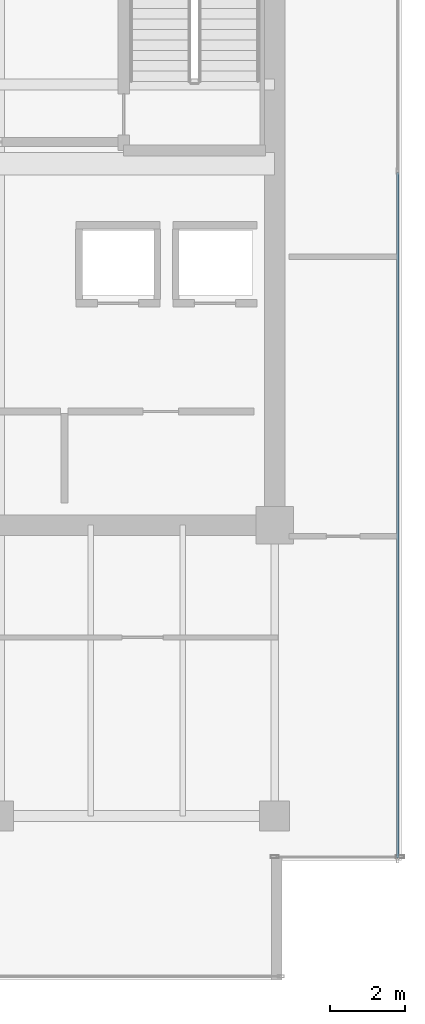
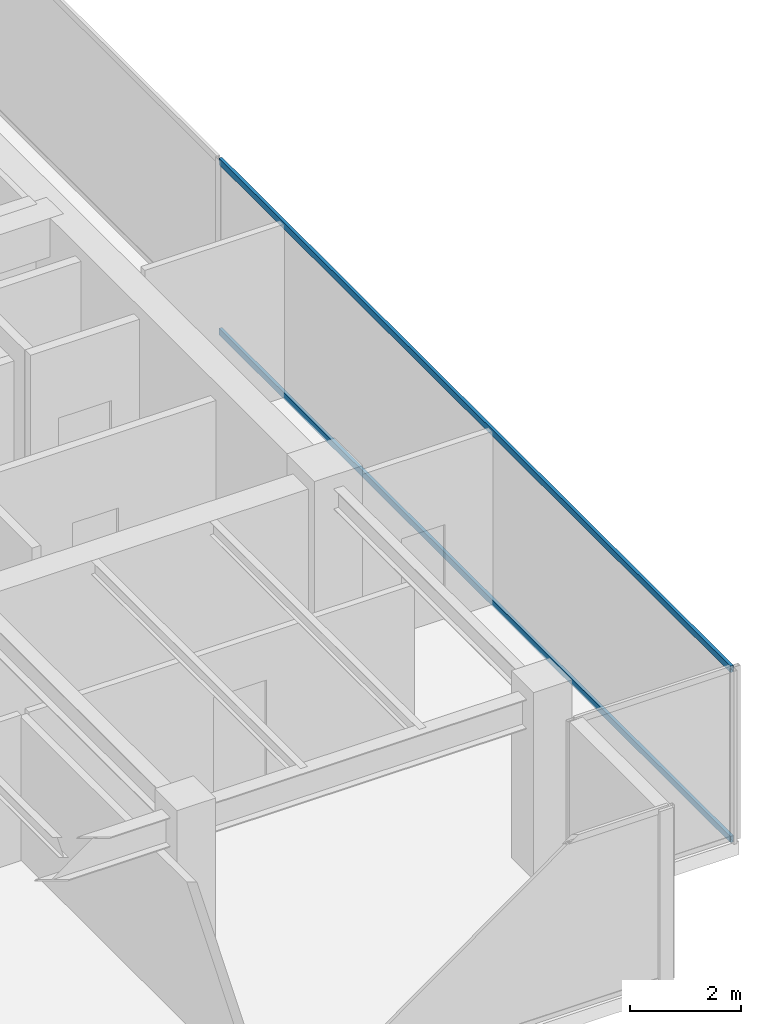
# One storey, part 23 of 33: 2 members, 1 element without a shape of its own.
"""IFC4 building model written with IfcOpenShell, lengths in metres."""

from ifc_helpers import new_model, si_unit, direction, frame, origin, origin_2d, place, context, subcontext, project, spatial, hollow_rectangle, extrude, source, transform, mapped, material, layer, layer_set, material_profile, profile_set, type_object, type_shapes, element, aggregate, save


model = new_model("IFC4")

# Units and contexts
model_context = context("Model", 3, precision=1e-05, world=origin(), true_north=direction((0.0, 1.0)))
body_context = subcontext(model_context, "Body", "Model", "MODEL_VIEW")
ifc_project = project(units=[si_unit("LENGTHUNIT", "METRE"), si_unit("AREAUNIT", "SQUARE_METRE"), si_unit("VOLUMEUNIT", "CUBIC_METRE"), si_unit("PLANEANGLEUNIT", "RADIAN"), si_unit("MASSUNIT", "GRAM", prefix="KILO")], contexts=[model_context])

# Site, building, storey
site_placement = place(None, origin())
site = spatial("IfcSite", under=ifc_project, at=site_placement, CompositionType="ELEMENT")
building_placement = place(site_placement, origin())
building = spatial("IfcBuilding", under=site, at=building_placement, Name="Haelvirn Gate Laboratories", CompositionType="ELEMENT")
storey_placement = place(building_placement, frame((0.0, 0.0, 238.300048828125)))
storey = spatial("IfcBuildingStorey", under=building, at=storey_placement, Name="L57", CompositionType="ELEMENT", Elevation=238.300048828125)

# Curtain wall, members
ifc_material_1 = material(Name="Anodised bronze unitised aluminium & triple low-E glass", Category="aluminium")
ifc_layer = layer(ifc_material_1, 0.176025390625, Name="CW-SYS-4")
ifc_layer_set = layer_set([ifc_layer], Name="Anodised bronze unitised aluminium & triple low-E glass")
curtain_wall_type = type_object("IfcCurtainWallType", Name="CW-SYS-4", PredefinedType="NOTDEFINED", material=ifc_layer_set)
curtain_wall_placement = place(storey_placement, origin())
curtain_wall = element("IfcCurtainWall", 1, at=curtain_wall_placement, inside=storey, type_object=curtain_wall_type, Name="L57 Unitised Curtain Wall CW-L57-P0-E07", PredefinedType="NOTDEFINED")
ifc_material_2 = material(Name="Extruded aluminium 6063-T6 (anodised bronze)", Category="aluminium")
ifc_material_profile = material_profile(ifc_material_2, hollow_rectangle(XDim=0.06494140625, YDim=0.139892578125, WallThickness=0.00390625, at=origin_2d()), Name="CWT-140x65x4")
ifc_profile_set = profile_set([ifc_material_profile], Name="Extruded aluminium 6063-T6 (anodised bronze)")
member_type = type_object("IfcMemberType", Name="CWT-T140", PredefinedType="USERDEFINED", material=ifc_profile_set)
shared_shape = source(origin(), body_context, "Body", "SweptSolid", [
    extrude(hollow_rectangle(XDim=0.06494140625, YDim=0.139892578125, WallThickness=0.00390625, at=origin_2d()), origin(), (0.0, 0.0, 1.0), 18.394775390625),
])
type_shapes(member_type, [shared_shape])
member_1_placement = place(storey_placement, frame((70.699951171875, 5.8701171875, 0.032470703125), z_axis=(0.0, 1.0, 0.0), x_axis=(-1.0, 0.0, 0.0)))
member_1 = element("IfcMember", 2, at=member_1_placement, type_object=member_type, Name="CW4 transom 1.1", ObjectType="TRANSOM", PredefinedType="USERDEFINED", context=body_context, shape_type="MappedRepresentation", body=[
    mapped(shared_shape, transform((0.0, 0.0, 0.0), scale=1.0)),
])
member_2_placement = place(storey_placement, frame((70.699951171875, 5.8701171875, 3.767333984375), z_axis=(0.0, 1.0, 0.0), x_axis=(-1.0, 0.0, 0.0)))
member_2 = element("IfcMember", 3, at=member_2_placement, type_object=member_type, Name="CW4 transom 1.2", ObjectType="TRANSOM", PredefinedType="USERDEFINED", context=body_context, shape_type="MappedRepresentation", body=[
    mapped(shared_shape, transform((0.0, 0.0, 0.0), scale=1.0)),
])
aggregate(curtain_wall, [member_1, member_2])

save(model, "model.ifc")
